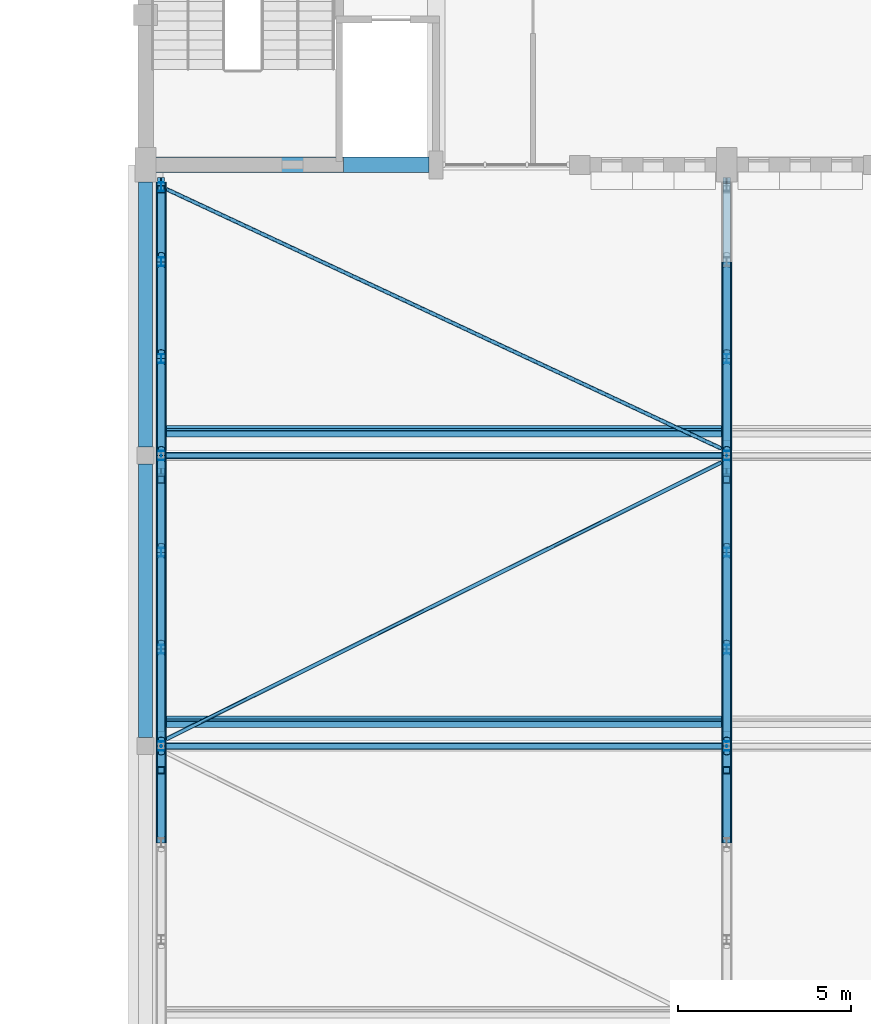
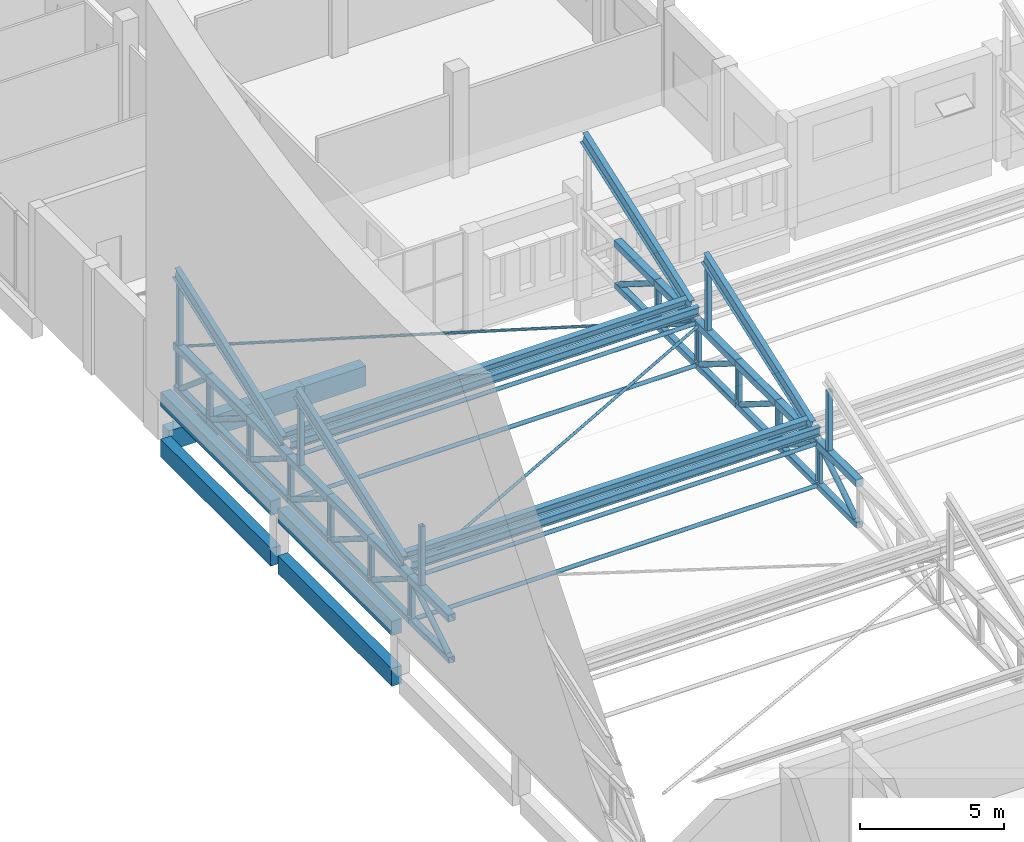
# One storey, part 17 of 101: 68 members, 8 beams.
"""IFC4 building model written with IfcOpenShell, lengths in metres."""

from ifc_helpers import new_model, si_unit, direction, frame, origin, origin_2d, place, context, subcontext, project, spatial, rectangle, hollow_rectangle, hollow_circle, i_section, extrude, material, material_profile, profile_set, type_object, element, save


model = new_model("IFC4")

# Units and contexts
model_context = context("Model", 3, precision=1e-05, world=origin(), true_north=direction((0.0, 1.0)))
body_context = subcontext(model_context, "Body", "Model", "MODEL_VIEW")
ifc_project = project(units=[si_unit("LENGTHUNIT", "METRE"), si_unit("AREAUNIT", "SQUARE_METRE"), si_unit("VOLUMEUNIT", "CUBIC_METRE"), si_unit("PLANEANGLEUNIT", "RADIAN"), si_unit("MASSUNIT", "GRAM", prefix="KILO")], contexts=[model_context])

# Site, building, storey
site_placement = place(None, origin())
site = spatial("IfcSite", under=ifc_project, at=site_placement, CompositionType="ELEMENT")
building_placement = place(site_placement, origin())
building = spatial("IfcBuilding", under=site, at=building_placement, Name="Fescue Hill Polytechnic", CompositionType="ELEMENT")
storey_placement = place(building_placement, frame((0.0, 0.0, 9.0)))
storey = spatial("IfcBuildingStorey", under=building, at=storey_placement, Name="L02", CompositionType="ELEMENT", Elevation=9.0)

# Beams
ifc_material_1 = material(Name="Concrete 35 MPa", Category="concrete")
ifc_material_profile_1 = material_profile(ifc_material_1, rectangle(XDim=0.39990234375, YDim=0.60009765625, at=origin_2d()), Name="RC 400x600")
ifc_profile_set_1 = profile_set([ifc_material_profile_1], Name="Concrete 35 MPa")
beam_type_1 = type_object("IfcBeamType", Name="Beam RC 400x600", PredefinedType="BEAM", material=ifc_profile_set_1)
beam_1_placement = place(storey_placement, frame((0.0, 33.85009765625, 1.699951171875), z_axis=(0.0, 1.0, 0.0), x_axis=(-1.0, 0.0, 0.0)))
element("IfcBeam", 1, at=beam_1_placement, inside=storey, type_object=beam_type_1, Name="Hall west gable crest beam 3", PredefinedType="BEAM", context=body_context, shape_type="SweptSolid", body=[
    extrude(rectangle(XDim=0.39990234375, YDim=0.60009765625, at=origin_2d()), origin(), (0.0, 0.0, 1.0), 7.89990234375),
])
beam_2_placement = place(storey_placement, frame((0.0, 42.25, 1.699951171875), z_axis=(0.0, 1.0, 0.0), x_axis=(-1.0, 0.0, 0.0)))
element("IfcBeam", 2, at=beam_2_placement, inside=storey, type_object=beam_type_1, Name="Hall west gable crest beam 4", PredefinedType="BEAM", context=body_context, shape_type="SweptSolid", body=[
    extrude(rectangle(XDim=0.39990234375, YDim=0.60009765625, at=origin_2d()), origin(), (0.0, 0.0, 1.0), 7.64990234375),
])
ifc_material_profile_2 = material_profile(ifc_material_1, rectangle(XDim=0.39990234375, YDim=0.75, at=origin_2d()), Name="RC 400x750")
ifc_profile_set_2 = profile_set([ifc_material_profile_2], Name="Concrete 35 MPa")
beam_type_2 = type_object("IfcBeamType", Name="Beam RC 400x750", PredefinedType="BEAM", material=ifc_profile_set_2)
beam_3_placement = place(storey_placement, frame((0.0, 41.75, -0.375), z_axis=(0.0, -1.0, 0.0), x_axis=(1.0, 0.0, 0.0)))
element("IfcBeam", 3, at=beam_3_placement, inside=storey, type_object=beam_type_2, Name="BM-L02-0142", PredefinedType="BEAM", context=body_context, shape_type="SweptSolid", body=[
    extrude(rectangle(XDim=0.39990234375, YDim=0.75, at=origin_2d()), origin(), (0.0, 0.0, 1.0), 7.89990234375),
])
beam_4_placement = place(storey_placement, frame((0.0, 49.89990234375, -0.375), z_axis=(0.0, -1.0, 0.0), x_axis=(1.0, 0.0, 0.0)))
element("IfcBeam", 4, at=beam_4_placement, inside=storey, type_object=beam_type_2, Name="BM-L02-0143", PredefinedType="BEAM", context=body_context, shape_type="SweptSolid", body=[
    extrude(rectangle(XDim=0.39990234375, YDim=0.75, at=origin_2d()), origin(), (0.0, 0.0, 1.0), 7.64990234375),
])
ifc_material_profile_3 = material_profile(ifc_material_1, rectangle(XDim=0.449951171875, YDim=0.85009765625, at=origin_2d()), Name="RC 450x850")
ifc_profile_set_3 = profile_set([ifc_material_profile_3], Name="Concrete 35 MPa")
beam_type_3 = type_object("IfcBeamType", Name="Beam RC 450x850", PredefinedType="BEAM", material=ifc_profile_set_3)
beam_5_placement = place(storey_placement, frame((0.300048828125, 50.39990234375, -0.425048828125), z_axis=(1.0, 0.0, 0.0), x_axis=(0.0, 1.0, 0.0)))
element("IfcBeam", 5, at=beam_5_placement, inside=storey, type_object=beam_type_3, Name="BM-L02-0146", PredefinedType="BEAM", context=body_context, shape_type="SweptSolid", body=[
    extrude(rectangle(XDim=0.449951171875, YDim=0.85009765625, at=origin_2d()), origin(), (0.0, 0.0, 1.0), 5.425048828125),
])
beam_6_placement = place(storey_placement, frame((5.72509765625, 50.39990234375, -0.425048828125), z_axis=(1.0, 0.0, 0.0), x_axis=(0.0, 1.0, 0.0)))
element("IfcBeam", 6, at=beam_6_placement, inside=storey, type_object=beam_type_3, Name="BM-L02-0147", PredefinedType="BEAM", context=body_context, shape_type="SweptSolid", body=[
    extrude(rectangle(XDim=0.449951171875, YDim=0.85009765625, at=origin_2d()), origin(), (0.0, 0.0, 1.0), 2.474853515625),
])

# Members
ifc_material_2 = material(Name="Steel 350W (350 MPa)", Category="steel")
ifc_material_profile_4 = material_profile(ifc_material_2, hollow_circle(Radius=0.05712890625, WallThickness=0.00634765625, at=origin_2d()), Name="Hall roof plan brace CHS 114x6.4")
ifc_profile_set_4 = profile_set([ifc_material_profile_4], Name="Steel 350W (350 MPa)")
member_type_1 = type_object("IfcMemberType", Name="Hall roof plan brace CHS 114x6.4", PredefinedType="BRACE", material=ifc_profile_set_4)
member_1_placement = place(storey_placement, frame((0.602294921875, 33.800048828125, 3.783447265625), z_axis=(0.894933167768, 0.446200207562, 0.0), x_axis=(-0.446200207562, 0.894933167768, 0.0)))
element("IfcMember", 7, at=member_1_placement, inside=storey, type_object=member_type_1, Name="Roof plan brace bay 1 panel 3", PredefinedType="BRACE", context=body_context, shape_type="SweptSolid", body=[
    extrude(hollow_circle(Radius=0.05712890625, WallThickness=0.00634765625, at=origin_2d()), origin(), (0.0, 0.0, 1.0), 17.92919921875),
])
member_2_placement = place(storey_placement, frame((0.602294921875, 49.699951171875, 3.783447265625), z_axis=(0.905920261856, -0.423448319348, 0.0), x_axis=(0.423448319348, 0.905920261856, 0.0)))
element("IfcMember", 8, at=member_2_placement, inside=storey, type_object=member_type_1, Name="Roof plan brace bay 1 panel 4", PredefinedType="BRACE", context=body_context, shape_type="SweptSolid", body=[
    extrude(hollow_circle(Radius=0.05712890625, WallThickness=0.00634765625, at=origin_2d()), origin(), (0.0, 0.0, 1.0), 17.711669921875),
])
ifc_material_profile_5 = material_profile(ifc_material_2, hollow_rectangle(XDim=0.25390625, YDim=0.25390625, WallThickness=0.0126953125, InnerFilletRadius=0.0126953125, OuterFilletRadius=0.025390625, at=origin_2d()), Name="Hall truss bottom chord HSS 254x254x13")
ifc_profile_set_5 = profile_set([ifc_material_profile_5], Name="Steel 350W (350 MPa)")
member_type_2 = type_object("IfcMemberType", Name="Hall truss bottom chord HSS 254x254x13", PredefinedType="CHORD", material=ifc_profile_set_5)
member_3_placement = place(storey_placement, frame((0.449951171875, 30.800048828125, 2.0), z_axis=(0.0, 1.0, 0.0), x_axis=(-1.0, 0.0, 0.0)))
element("IfcMember", 9, at=member_3_placement, inside=storey, type_object=member_type_2, Name="Truss TR1 bottom chord 6", PredefinedType="CHORD", context=body_context, shape_type="SweptSolid", body=[
    extrude(hollow_rectangle(XDim=0.25390625, YDim=0.25390625, WallThickness=0.0126953125, InnerFilletRadius=0.0126953125, OuterFilletRadius=0.025390625, at=origin_2d()), origin(), (0.0, 0.0, 1.0), 2.800048828125),
])
member_4_placement = place(storey_placement, frame((0.449951171875, 33.60009765625, 2.0), z_axis=(0.0, 1.0, 0.0), x_axis=(-1.0, 0.0, 0.0)))
element("IfcMember", 10, at=member_4_placement, inside=storey, type_object=member_type_2, Name="Truss TR1 bottom chord 7", PredefinedType="CHORD", context=body_context, shape_type="SweptSolid", body=[
    extrude(hollow_rectangle(XDim=0.25390625, YDim=0.25390625, WallThickness=0.0126953125, InnerFilletRadius=0.0126953125, OuterFilletRadius=0.025390625, at=origin_2d()), origin(), (0.0, 0.0, 1.0), 2.7998046875),
])
for number, where, z_axis, x_axis, name in (
    (11, (0.449951171875, 36.39990234375, 2.0), (0.0, 1.0, 0.0), (-1.0, 0.0, 0.0), "Truss TR1 bottom chord 8"),
    (12, (0.449951171875, 39.199951171875, 2.0), (0.0, 1.0, 0.0), (-1.0, 0.0, 0.0), "Truss TR1 bottom chord 9"),
    (13, (0.449951171875, 42.0, 2.0), (0.0, 1.0, 0.0), (-1.0, 0.0, 0.0), "Truss TR1 bottom chord 10"),
    (14, (0.449951171875, 44.800048828125, 2.0), (0.0, 1.0, 0.0), (-1.0, 0.0, 0.0), "Truss TR1 bottom chord 11"),
):
    element("IfcMember", number, at=place(storey_placement, frame(where, z_axis=z_axis, x_axis=x_axis)), inside=storey, type_object=member_type_2, Name=name, PredefinedType="CHORD", context=body_context, shape_type="SweptSolid", body=[
        extrude(hollow_rectangle(XDim=0.25390625, YDim=0.25390625, WallThickness=0.0126953125, InnerFilletRadius=0.0126953125, OuterFilletRadius=0.025390625, at=origin_2d()), origin(), (0.0, 0.0, 1.0), 2.800048828125),
    ])
member_5_placement = place(storey_placement, frame((0.449951171875, 47.60009765625, 2.0), z_axis=(0.0, 1.0, 0.0), x_axis=(-1.0, 0.0, 0.0)))
element("IfcMember", 15, at=member_5_placement, inside=storey, type_object=member_type_2, Name="Truss TR1 bottom chord 12", PredefinedType="CHORD", context=body_context, shape_type="SweptSolid", body=[
    extrude(hollow_rectangle(XDim=0.25390625, YDim=0.25390625, WallThickness=0.0126953125, InnerFilletRadius=0.0126953125, OuterFilletRadius=0.025390625, at=origin_2d()), origin(), (0.0, 0.0, 1.0), 2.2998046875),
])
member_6_placement = place(storey_placement, frame((16.800048828125, 30.800048828125, 2.0), z_axis=(0.0, 1.0, 0.0), x_axis=(-1.0, 0.0, 0.0)))
element("IfcMember", 16, at=member_6_placement, inside=storey, type_object=member_type_2, Name="Truss TR2 bottom chord 6", PredefinedType="CHORD", context=body_context, shape_type="SweptSolid", body=[
    extrude(hollow_rectangle(XDim=0.25390625, YDim=0.25390625, WallThickness=0.0126953125, InnerFilletRadius=0.0126953125, OuterFilletRadius=0.025390625, at=origin_2d()), origin(), (0.0, 0.0, 1.0), 2.800048828125),
])
member_7_placement = place(storey_placement, frame((16.800048828125, 33.60009765625, 2.0), z_axis=(0.0, 1.0, 0.0), x_axis=(-1.0, 0.0, 0.0)))
element("IfcMember", 17, at=member_7_placement, inside=storey, type_object=member_type_2, Name="Truss TR2 bottom chord 7", PredefinedType="CHORD", context=body_context, shape_type="SweptSolid", body=[
    extrude(hollow_rectangle(XDim=0.25390625, YDim=0.25390625, WallThickness=0.0126953125, InnerFilletRadius=0.0126953125, OuterFilletRadius=0.025390625, at=origin_2d()), origin(), (0.0, 0.0, 1.0), 2.7998046875),
])
for number, where, z_axis, x_axis, name in (
    (18, (16.800048828125, 36.39990234375, 2.0), (0.0, 1.0, 0.0), (-1.0, 0.0, 0.0), "Truss TR2 bottom chord 8"),
    (19, (16.800048828125, 39.199951171875, 2.0), (0.0, 1.0, 0.0), (-1.0, 0.0, 0.0), "Truss TR2 bottom chord 9"),
    (20, (16.800048828125, 42.0, 2.0), (0.0, 1.0, 0.0), (-1.0, 0.0, 0.0), "Truss TR2 bottom chord 10"),
    (21, (16.800048828125, 44.800048828125, 2.0), (0.0, 1.0, 0.0), (-1.0, 0.0, 0.0), "Truss TR2 bottom chord 11"),
):
    element("IfcMember", number, at=place(storey_placement, frame(where, z_axis=z_axis, x_axis=x_axis)), inside=storey, type_object=member_type_2, Name=name, PredefinedType="CHORD", context=body_context, shape_type="SweptSolid", body=[
        extrude(hollow_rectangle(XDim=0.25390625, YDim=0.25390625, WallThickness=0.0126953125, InnerFilletRadius=0.0126953125, OuterFilletRadius=0.025390625, at=origin_2d()), origin(), (0.0, 0.0, 1.0), 2.800048828125),
    ])
ifc_material_profile_6 = material_profile(ifc_material_2, hollow_circle(Radius=0.109619140625, WallThickness=0.009521484375, at=origin_2d()), Name="Hall truss diagonal CHS 219x9.5")
ifc_profile_set_6 = profile_set([ifc_material_profile_6], Name="Steel 350W (350 MPa)")
member_type_3 = type_object("IfcMemberType", Name="Hall truss diagonal CHS 219x9.5", PredefinedType="BRACE", material=ifc_profile_set_6)
for number, where, z_axis, x_axis, name in (
    (22, (0.449951171875, 31.0, 2.126953125), (0.0, 0.847329350891, 0.531067765091), (-1.0, 0.0, 0.0), "Truss TR1 diagonal 6"),
    (23, (0.449951171875, 33.800048828125, 3.631103515625), (0.0, 0.847329350891, -0.531067765091), (-1.0, 0.0, 0.0), "Truss TR1 diagonal 7"),
    (24, (0.449951171875, 36.60009765625, 3.631103515625), (0.0, 0.847329350891, -0.531067765091), (-1.0, 0.0, 0.0), "Truss TR1 diagonal 8"),
):
    element("IfcMember", number, at=place(storey_placement, frame(where, z_axis=z_axis, x_axis=x_axis)), inside=storey, type_object=member_type_3, Name=name, PredefinedType="BRACE", context=body_context, shape_type="SweptSolid", body=[
        extrude(hollow_circle(Radius=0.109619140625, WallThickness=0.009521484375, at=origin_2d()), origin(), (0.0, 0.0, 1.0), 2.832275390625),
    ])
for number, where, z_axis, x_axis, name in (
    (25, (0.449951171875, 39.39990234375, 3.631103515625), (0.0, 0.847353658992, -0.531028979051), (-1.0, 0.0, 0.0), "Truss TR1 diagonal 9"),
    (26, (0.449951171875, 42.199951171875, 3.631103515625), (0.0, 0.847353658992, -0.531028979051), (-1.0, 0.0, 0.0), "Truss TR1 diagonal 10"),
):
    element("IfcMember", number, at=place(storey_placement, frame(where, z_axis=z_axis, x_axis=x_axis)), inside=storey, type_object=member_type_3, Name=name, PredefinedType="BRACE", context=body_context, shape_type="SweptSolid", body=[
        extrude(hollow_circle(Radius=0.109619140625, WallThickness=0.009521484375, at=origin_2d()), origin(), (0.0, 0.0, 1.0), 2.83251953125),
    ])
member_8_placement = place(storey_placement, frame((0.449951171875, 45.0, 3.631103515625), z_axis=(0.0, 0.847329350891, -0.531067765091), x_axis=(-1.0, 0.0, 0.0)))
element("IfcMember", 27, at=member_8_placement, inside=storey, type_object=member_type_3, Name="Truss TR1 diagonal 11", PredefinedType="BRACE", context=body_context, shape_type="SweptSolid", body=[
    extrude(hollow_circle(Radius=0.109619140625, WallThickness=0.009521484375, at=origin_2d()), origin(), (0.0, 0.0, 1.0), 2.832275390625),
])
member_9_placement = place(storey_placement, frame((0.449951171875, 47.800048828125, 3.631103515625), z_axis=(0.0, 0.761443253909, -0.648231572107), x_axis=(-1.0, 0.0, 0.0)))
element("IfcMember", 28, at=member_9_placement, inside=storey, type_object=member_type_3, Name="Truss TR1 diagonal 12", PredefinedType="BRACE", context=body_context, shape_type="SweptSolid", body=[
    extrude(hollow_circle(Radius=0.109619140625, WallThickness=0.009521484375, at=origin_2d()), origin(), (0.0, 0.0, 1.0), 2.3203125),
])
for number, where, z_axis, x_axis, name in (
    (29, (16.800048828125, 31.0, 2.126953125), (0.0, 0.847329350891, 0.531067765091), (-1.0, 0.0, 0.0), "Truss TR2 diagonal 6"),
    (30, (16.800048828125, 33.800048828125, 3.631103515625), (0.0, 0.847329350891, -0.531067765091), (-1.0, 0.0, 0.0), "Truss TR2 diagonal 7"),
    (31, (16.800048828125, 36.60009765625, 3.631103515625), (0.0, 0.847329350891, -0.531067765091), (-1.0, 0.0, 0.0), "Truss TR2 diagonal 8"),
):
    element("IfcMember", number, at=place(storey_placement, frame(where, z_axis=z_axis, x_axis=x_axis)), inside=storey, type_object=member_type_3, Name=name, PredefinedType="BRACE", context=body_context, shape_type="SweptSolid", body=[
        extrude(hollow_circle(Radius=0.109619140625, WallThickness=0.009521484375, at=origin_2d()), origin(), (0.0, 0.0, 1.0), 2.832275390625),
    ])
for number, where, z_axis, x_axis, name in (
    (32, (16.800048828125, 39.39990234375, 3.631103515625), (0.0, 0.847353658992, -0.531028979051), (-1.0, 0.0, 0.0), "Truss TR2 diagonal 9"),
    (33, (16.800048828125, 42.199951171875, 3.631103515625), (0.0, 0.847353658992, -0.531028979051), (-1.0, 0.0, 0.0), "Truss TR2 diagonal 10"),
):
    element("IfcMember", number, at=place(storey_placement, frame(where, z_axis=z_axis, x_axis=x_axis)), inside=storey, type_object=member_type_3, Name=name, PredefinedType="BRACE", context=body_context, shape_type="SweptSolid", body=[
        extrude(hollow_circle(Radius=0.109619140625, WallThickness=0.009521484375, at=origin_2d()), origin(), (0.0, 0.0, 1.0), 2.83251953125),
    ])
member_10_placement = place(storey_placement, frame((16.800048828125, 45.0, 3.631103515625), z_axis=(0.0, 0.847329350891, -0.531067765091), x_axis=(-1.0, 0.0, 0.0)))
element("IfcMember", 34, at=member_10_placement, inside=storey, type_object=member_type_3, Name="Truss TR2 diagonal 11", PredefinedType="BRACE", context=body_context, shape_type="SweptSolid", body=[
    extrude(hollow_circle(Radius=0.109619140625, WallThickness=0.009521484375, at=origin_2d()), origin(), (0.0, 0.0, 1.0), 2.832275390625),
])
ifc_material_profile_7 = material_profile(ifc_material_2, i_section(OverallWidth=0.14794921875, OverallDepth=0.26611328125, WebThickness=0.007568359375, FlangeThickness=0.012939453125, FilletRadius=0.013916015625, at=origin_2d()), Name="W250x45")
ifc_profile_set_7 = profile_set([ifc_material_profile_7], Name="Steel 350W (350 MPa)")
member_type_4 = type_object("IfcMemberType", Name="Hall truss post W250x45", PredefinedType="POST", material=ifc_profile_set_7)
for number, where, z_axis, x_axis, name in (
    (35, (0.449951171875, 33.60009765625, 2.126953125), (0.0, 0.0, 1.0), (1.0, 0.0, 0.0), "Truss TR1 post 7"),
    (36, (0.449951171875, 36.39990234375, 2.126953125), (0.0, 0.0, 1.0), (1.0, 0.0, 0.0), "Truss TR1 post 8"),
    (37, (0.449951171875, 39.199951171875, 2.126953125), (0.0, 0.0, 1.0), (1.0, 0.0, 0.0), "Truss TR1 post 9"),
    (38, (0.449951171875, 42.0, 2.126953125), (0.0, 0.0, 1.0), (1.0, 0.0, 0.0), "Truss TR1 post 10"),
    (39, (0.449951171875, 44.800048828125, 2.126953125), (0.0, 0.0, 1.0), (1.0, 0.0, 0.0), "Truss TR1 post 11"),
    (40, (0.449951171875, 47.60009765625, 2.126953125), (0.0, 0.0, 1.0), (1.0, 0.0, 0.0), "Truss TR1 post 12"),
    (41, (0.449951171875, 49.76708984375, 2.126953125), (0.0, 0.0, 1.0), (1.0, 0.0, 0.0), "Truss TR1 post 13"),
    (42, (16.800048828125, 33.60009765625, 2.126953125), (0.0, 0.0, 1.0), (1.0, 0.0, 0.0), "Truss TR2 post 7"),
    (43, (16.800048828125, 36.39990234375, 2.126953125), (0.0, 0.0, 1.0), (1.0, 0.0, 0.0), "Truss TR2 post 8"),
    (44, (16.800048828125, 39.199951171875, 2.126953125), (0.0, 0.0, 1.0), (1.0, 0.0, 0.0), "Truss TR2 post 9"),
    (45, (16.800048828125, 42.0, 2.126953125), (0.0, 0.0, 1.0), (1.0, 0.0, 0.0), "Truss TR2 post 10"),
    (46, (16.800048828125, 44.800048828125, 2.126953125), (0.0, 0.0, 1.0), (1.0, 0.0, 0.0), "Truss TR2 post 11"),
):
    element("IfcMember", number, at=place(storey_placement, frame(where, z_axis=z_axis, x_axis=x_axis)), inside=storey, type_object=member_type_4, Name=name, PredefinedType="POST", context=body_context, shape_type="SweptSolid", body=[
        extrude(i_section(OverallWidth=0.14794921875, OverallDepth=0.26611328125, WebThickness=0.007568359375, FlangeThickness=0.012939453125, FilletRadius=0.013916015625, at=origin_2d()), origin(), (0.0, 0.0, 1.0), 1.504150390625),
    ])
ifc_material_profile_8 = material_profile(ifc_material_2, hollow_circle(Radius=0.084228515625, WallThickness=0.009521484375, at=origin_2d()), Name="Hall truss tie strut CHS 168x9.5")
ifc_profile_set_8 = profile_set([ifc_material_profile_8], Name="Steel 350W (350 MPa)")
member_type_5 = type_object("IfcMemberType", Name="Hall truss tie strut CHS 168x9.5", PredefinedType="STRUT", material=ifc_profile_set_8)
member_11_placement = place(storey_placement, frame((0.602294921875, 33.60009765625, 3.783447265625), z_axis=(1.0, 0.0, 0.0), x_axis=(0.0, 1.0, 0.0)))
element("IfcMember", 47, at=member_11_placement, inside=storey, type_object=member_type_5, Name="Top chord tie strut bay 1 line 2", PredefinedType="STRUT", context=body_context, shape_type="SweptSolid", body=[
    extrude(hollow_circle(Radius=0.084228515625, WallThickness=0.009521484375, at=origin_2d()), origin(), (0.0, 0.0, 1.0), 16.04541015625),
])
member_12_placement = place(storey_placement, frame((0.576904296875, 33.60009765625, 2.0), z_axis=(1.0, 0.0, 0.0), x_axis=(0.0, 1.0, 0.0)))
element("IfcMember", 48, at=member_12_placement, inside=storey, type_object=member_type_5, Name="Bottom chord tie strut bay 1 line 2", PredefinedType="STRUT", context=body_context, shape_type="SweptSolid", body=[
    extrude(hollow_circle(Radius=0.084228515625, WallThickness=0.009521484375, at=origin_2d()), origin(), (0.0, 0.0, 1.0), 16.09619140625),
])
member_13_placement = place(storey_placement, frame((0.602294921875, 42.0, 3.783447265625), z_axis=(1.0, 0.0, 0.0), x_axis=(0.0, 1.0, 0.0)))
element("IfcMember", 49, at=member_13_placement, inside=storey, type_object=member_type_5, Name="Top chord tie strut bay 1 line 3", PredefinedType="STRUT", context=body_context, shape_type="SweptSolid", body=[
    extrude(hollow_circle(Radius=0.084228515625, WallThickness=0.009521484375, at=origin_2d()), origin(), (0.0, 0.0, 1.0), 16.04541015625),
])
member_14_placement = place(storey_placement, frame((0.576904296875, 42.0, 2.0), z_axis=(1.0, 0.0, 0.0), x_axis=(0.0, 1.0, 0.0)))
element("IfcMember", 50, at=member_14_placement, inside=storey, type_object=member_type_5, Name="Bottom chord tie strut bay 1 line 3", PredefinedType="STRUT", context=body_context, shape_type="SweptSolid", body=[
    extrude(hollow_circle(Radius=0.084228515625, WallThickness=0.009521484375, at=origin_2d()), origin(), (0.0, 0.0, 1.0), 16.09619140625),
])
ifc_material_profile_9 = material_profile(ifc_material_2, hollow_rectangle(XDim=0.3046875, YDim=0.3046875, WallThickness=0.0126953125, InnerFilletRadius=0.0126953125, OuterFilletRadius=0.025390625, at=origin_2d()), Name="Hall truss top chord HSS 305x305x13")
ifc_profile_set_9 = profile_set([ifc_material_profile_9], Name="Steel 350W (350 MPa)")
member_type_6 = type_object("IfcMemberType", Name="Hall truss top chord HSS 305x305x13", PredefinedType="CHORD", material=ifc_profile_set_9)
member_15_placement = place(storey_placement, frame((0.449951171875, 30.800048828125, 3.783447265625), z_axis=(0.0, 1.0, 0.0), x_axis=(-1.0, 0.0, 0.0)))
element("IfcMember", 51, at=member_15_placement, inside=storey, type_object=member_type_6, Name="Truss TR1 top chord 6", PredefinedType="CHORD", context=body_context, shape_type="SweptSolid", body=[
    extrude(hollow_rectangle(XDim=0.3046875, YDim=0.3046875, WallThickness=0.0126953125, InnerFilletRadius=0.0126953125, OuterFilletRadius=0.025390625, at=origin_2d()), origin(), (0.0, 0.0, 1.0), 2.800048828125),
])
member_16_placement = place(storey_placement, frame((0.449951171875, 33.60009765625, 3.783447265625), z_axis=(0.0, 1.0, 0.0), x_axis=(-1.0, 0.0, 0.0)))
element("IfcMember", 52, at=member_16_placement, inside=storey, type_object=member_type_6, Name="Truss TR1 top chord 7", PredefinedType="CHORD", context=body_context, shape_type="SweptSolid", body=[
    extrude(hollow_rectangle(XDim=0.3046875, YDim=0.3046875, WallThickness=0.0126953125, InnerFilletRadius=0.0126953125, OuterFilletRadius=0.025390625, at=origin_2d()), origin(), (0.0, 0.0, 1.0), 2.7998046875),
])
for number, where, z_axis, x_axis, name in (
    (53, (0.449951171875, 36.39990234375, 3.783447265625), (0.0, 1.0, 0.0), (-1.0, 0.0, 0.0), "Truss TR1 top chord 8"),
    (54, (0.449951171875, 39.199951171875, 3.783447265625), (0.0, 1.0, 0.0), (-1.0, 0.0, 0.0), "Truss TR1 top chord 9"),
    (55, (0.449951171875, 42.0, 3.783447265625), (0.0, 1.0, 0.0), (-1.0, 0.0, 0.0), "Truss TR1 top chord 10"),
    (56, (0.449951171875, 44.800048828125, 3.783447265625), (0.0, 1.0, 0.0), (-1.0, 0.0, 0.0), "Truss TR1 top chord 11"),
):
    element("IfcMember", number, at=place(storey_placement, frame(where, z_axis=z_axis, x_axis=x_axis)), inside=storey, type_object=member_type_6, Name=name, PredefinedType="CHORD", context=body_context, shape_type="SweptSolid", body=[
        extrude(hollow_rectangle(XDim=0.3046875, YDim=0.3046875, WallThickness=0.0126953125, InnerFilletRadius=0.0126953125, OuterFilletRadius=0.025390625, at=origin_2d()), origin(), (0.0, 0.0, 1.0), 2.800048828125),
    ])
member_17_placement = place(storey_placement, frame((0.449951171875, 47.60009765625, 3.783447265625), z_axis=(0.0, 1.0, 0.0), x_axis=(-1.0, 0.0, 0.0)))
element("IfcMember", 57, at=member_17_placement, inside=storey, type_object=member_type_6, Name="Truss TR1 top chord 12", PredefinedType="CHORD", context=body_context, shape_type="SweptSolid", body=[
    extrude(hollow_rectangle(XDim=0.3046875, YDim=0.3046875, WallThickness=0.0126953125, InnerFilletRadius=0.0126953125, OuterFilletRadius=0.025390625, at=origin_2d()), origin(), (0.0, 0.0, 1.0), 2.2998046875),
])
member_18_placement = place(storey_placement, frame((16.800048828125, 30.800048828125, 3.783447265625), z_axis=(0.0, 1.0, 0.0), x_axis=(-1.0, 0.0, 0.0)))
element("IfcMember", 58, at=member_18_placement, inside=storey, type_object=member_type_6, Name="Truss TR2 top chord 6", PredefinedType="CHORD", context=body_context, shape_type="SweptSolid", body=[
    extrude(hollow_rectangle(XDim=0.3046875, YDim=0.3046875, WallThickness=0.0126953125, InnerFilletRadius=0.0126953125, OuterFilletRadius=0.025390625, at=origin_2d()), origin(), (0.0, 0.0, 1.0), 2.800048828125),
])
member_19_placement = place(storey_placement, frame((16.800048828125, 33.60009765625, 3.783447265625), z_axis=(0.0, 1.0, 0.0), x_axis=(-1.0, 0.0, 0.0)))
element("IfcMember", 59, at=member_19_placement, inside=storey, type_object=member_type_6, Name="Truss TR2 top chord 7", PredefinedType="CHORD", context=body_context, shape_type="SweptSolid", body=[
    extrude(hollow_rectangle(XDim=0.3046875, YDim=0.3046875, WallThickness=0.0126953125, InnerFilletRadius=0.0126953125, OuterFilletRadius=0.025390625, at=origin_2d()), origin(), (0.0, 0.0, 1.0), 2.7998046875),
])
for number, where, z_axis, x_axis, name in (
    (60, (16.800048828125, 36.39990234375, 3.783447265625), (0.0, 1.0, 0.0), (-1.0, 0.0, 0.0), "Truss TR2 top chord 8"),
    (61, (16.800048828125, 39.199951171875, 3.783447265625), (0.0, 1.0, 0.0), (-1.0, 0.0, 0.0), "Truss TR2 top chord 9"),
    (62, (16.800048828125, 42.0, 3.783447265625), (0.0, 1.0, 0.0), (-1.0, 0.0, 0.0), "Truss TR2 top chord 10"),
    (63, (16.800048828125, 44.800048828125, 3.783447265625), (0.0, 1.0, 0.0), (-1.0, 0.0, 0.0), "Truss TR2 top chord 11"),
):
    element("IfcMember", number, at=place(storey_placement, frame(where, z_axis=z_axis, x_axis=x_axis)), inside=storey, type_object=member_type_6, Name=name, PredefinedType="CHORD", context=body_context, shape_type="SweptSolid", body=[
        extrude(hollow_rectangle(XDim=0.3046875, YDim=0.3046875, WallThickness=0.0126953125, InnerFilletRadius=0.0126953125, OuterFilletRadius=0.025390625, at=origin_2d()), origin(), (0.0, 0.0, 1.0), 2.800048828125),
    ])
ifc_material_profile_10 = material_profile(ifc_material_2, i_section(OverallWidth=0.18994140625, OverallDepth=0.45703125, WebThickness=0.009033203125, FlangeThickness=0.014404296875, FilletRadius=0.0166015625, at=origin_2d()), Name="W460x74")
ifc_profile_set_10 = profile_set([ifc_material_profile_10], Name="Steel 350W (350 MPa)")
member_type_7 = type_object("IfcMemberType", Name="Tooth purlin W460x74", PredefinedType="PURLIN", material=ifc_profile_set_10)
for number, where, z_axis, x_axis, name in (
    (64, (0.554443359375, 34.300048828125, 4.294921875), (1.0, 0.0, 0.0), (0.0, 0.941741911595, 0.336336396997), "Tooth 3 purlin 1 bay 1"),
    (65, (0.554443359375, 42.699951171875, 4.294921875), (1.0, 0.0, 0.0), (0.0, 0.941741911595, 0.336336396997), "Tooth 4 purlin 1 bay 1"),
):
    element("IfcMember", number, at=place(storey_placement, frame(where, z_axis=z_axis, x_axis=x_axis)), inside=storey, type_object=member_type_7, Name=name, PredefinedType="PURLIN", context=body_context, shape_type="SweptSolid", body=[
        extrude(i_section(OverallWidth=0.18994140625, OverallDepth=0.45703125, WebThickness=0.009033203125, FlangeThickness=0.014404296875, FilletRadius=0.0166015625, at=origin_2d()), origin(), (0.0, 0.0, 1.0), 16.14111328125),
    ])
ifc_material_profile_11 = material_profile(ifc_material_2, i_section(OverallWidth=0.208984375, OverallDepth=0.532958984375, WebThickness=0.01025390625, FlangeThickness=0.015625, FilletRadius=0.016357421875, at=origin_2d()), Name="W530x92")
ifc_profile_set_11 = profile_set([ifc_material_profile_11], Name="Steel 350W (350 MPa)")
member_type_8 = type_object("IfcMemberType", Name="Tooth rafter W530x92", PredefinedType="RAFTER", material=ifc_profile_set_11)
for number, where, z_axis, x_axis, name in (
    (66, (0.449951171875, 34.1103515625, 4.18701171875), (0.0, 0.941744009147, 0.336330523793), (-1.0, 0.0, 0.0), "Tooth 3 rafter on TR1"),
    (67, (0.449951171875, 42.51025390625, 4.18701171875), (0.0, 0.941744009147, 0.336330523793), (-1.0, 0.0, 0.0), "Tooth 4 rafter on TR1"),
    (68, (16.800048828125, 34.1103515625, 4.18701171875), (0.0, 0.941744009147, 0.336330523793), (-1.0, 0.0, 0.0), "Tooth 3 rafter on TR2"),
    (69, (16.800048828125, 42.51025390625, 4.18701171875), (0.0, 0.941744009147, 0.336330523793), (-1.0, 0.0, 0.0), "Tooth 4 rafter on TR2"),
):
    element("IfcMember", number, at=place(storey_placement, frame(where, z_axis=z_axis, x_axis=x_axis)), inside=storey, type_object=member_type_8, Name=name, PredefinedType="RAFTER", context=body_context, shape_type="SweptSolid", body=[
        extrude(i_section(OverallWidth=0.208984375, OverallDepth=0.532958984375, WebThickness=0.01025390625, FlangeThickness=0.015625, FilletRadius=0.016357421875, at=origin_2d()), origin(), (0.0, 0.0, 1.0), 7.89990234375),
    ])
ifc_material_profile_12 = material_profile(ifc_material_2, hollow_rectangle(XDim=0.203125, YDim=0.203125, WallThickness=0.009521484375, InnerFilletRadius=0.009521484375, OuterFilletRadius=0.01904296875, at=origin_2d()), Name="Tooth ridge post HSS 203x203x9.5")
ifc_profile_set_12 = profile_set([ifc_material_profile_12], Name="Steel 350W (350 MPa)")
member_type_9 = type_object("IfcMemberType", Name="Tooth ridge post HSS 203x203x9.5", PredefinedType="POST", material=ifc_profile_set_12)
for number, where, z_axis, x_axis, name in (
    (70, (0.449951171875, 32.89990234375, 3.93603515625), (0.0, 0.0, 1.0), (1.0, 0.0, 0.0), "Tooth 2 ridge post on TR1"),
    (71, (0.449951171875, 41.300048828125, 3.93603515625), (0.0, 0.0, 1.0), (1.0, 0.0, 0.0), "Tooth 3 ridge post on TR1"),
    (72, (0.449951171875, 49.699951171875, 3.93603515625), (0.0, 0.0, 1.0), (1.0, 0.0, 0.0), "Tooth 4 ridge post on TR1"),
    (73, (16.800048828125, 32.89990234375, 3.93603515625), (0.0, 0.0, 1.0), (1.0, 0.0, 0.0), "Tooth 2 ridge post on TR2"),
    (74, (16.800048828125, 41.300048828125, 3.93603515625), (0.0, 0.0, 1.0), (1.0, 0.0, 0.0), "Tooth 3 ridge post on TR2"),
):
    element("IfcMember", number, at=place(storey_placement, frame(where, z_axis=z_axis, x_axis=x_axis)), inside=storey, type_object=member_type_9, Name=name, PredefinedType="POST", context=body_context, shape_type="SweptSolid", body=[
        extrude(hollow_rectangle(XDim=0.203125, YDim=0.203125, WallThickness=0.009521484375, InnerFilletRadius=0.009521484375, OuterFilletRadius=0.01904296875, at=origin_2d()), origin(), (0.0, 0.0, 1.0), 2.499267578125),
    ])

# Beams
ifc_material_profile_13 = material_profile(ifc_material_2, i_section(OverallWidth=0.2041015625, OverallDepth=0.35009765625, WebThickness=0.008544921875, FlangeThickness=0.01513671875, FilletRadius=0.02197265625, at=origin_2d()), Name="W360x72")
ifc_profile_set_13 = profile_set([ifc_material_profile_13], Name="Steel 350W (350 MPa)")
beam_type_4 = type_object("IfcBeamType", Name="Valley gutter beam W360x72", PredefinedType="BEAM", material=ifc_profile_set_13)
for number, where, z_axis, x_axis, name in (
    (75, (0.449951171875, 33.60009765625, 4.324951171875), (1.0, 0.0, 0.0), (0.0, 1.0, 0.0), "Valley 3 gutter beam bay 1"),
    (76, (0.449951171875, 42.0, 4.324951171875), (1.0, 0.0, 0.0), (0.0, 1.0, 0.0), "Valley 4 gutter beam bay 1"),
):
    element("IfcBeam", number, at=place(storey_placement, frame(where, z_axis=z_axis, x_axis=x_axis)), inside=storey, type_object=beam_type_4, Name=name, PredefinedType="BEAM", context=body_context, shape_type="SweptSolid", body=[
        extrude(i_section(OverallWidth=0.2041015625, OverallDepth=0.35009765625, WebThickness=0.008544921875, FlangeThickness=0.01513671875, FilletRadius=0.02197265625, at=origin_2d()), origin(), (0.0, 0.0, 1.0), 16.35009765625),
    ])

save(model, "model.ifc")
